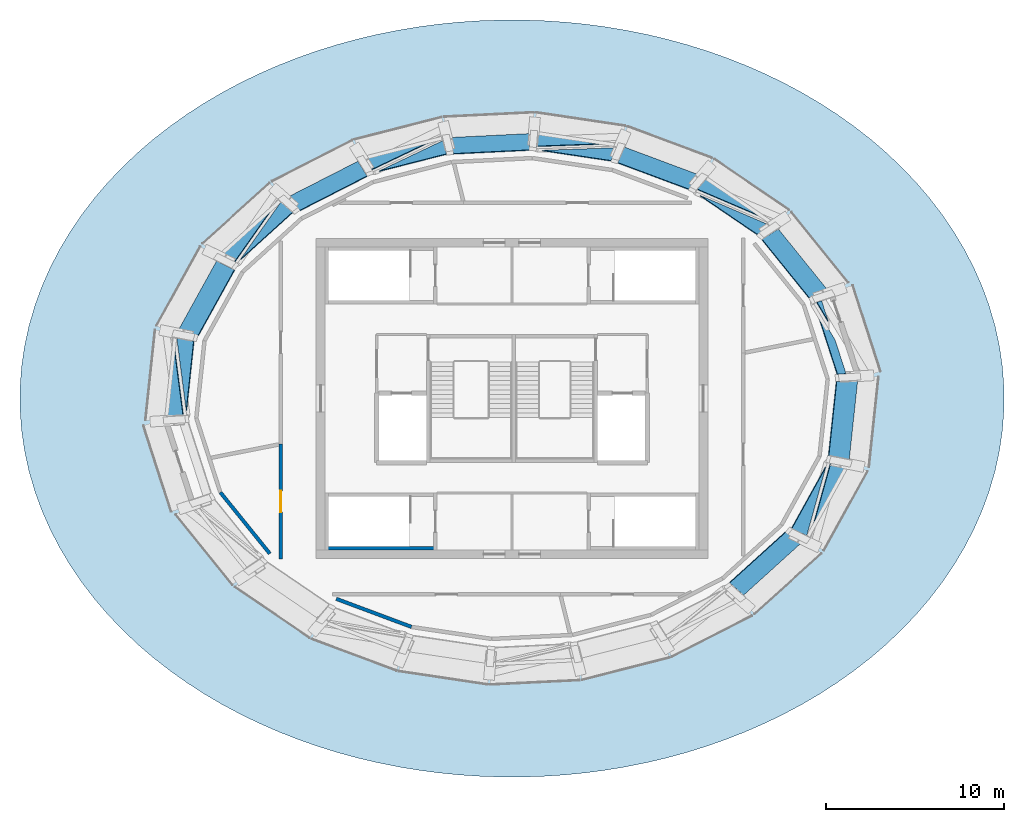
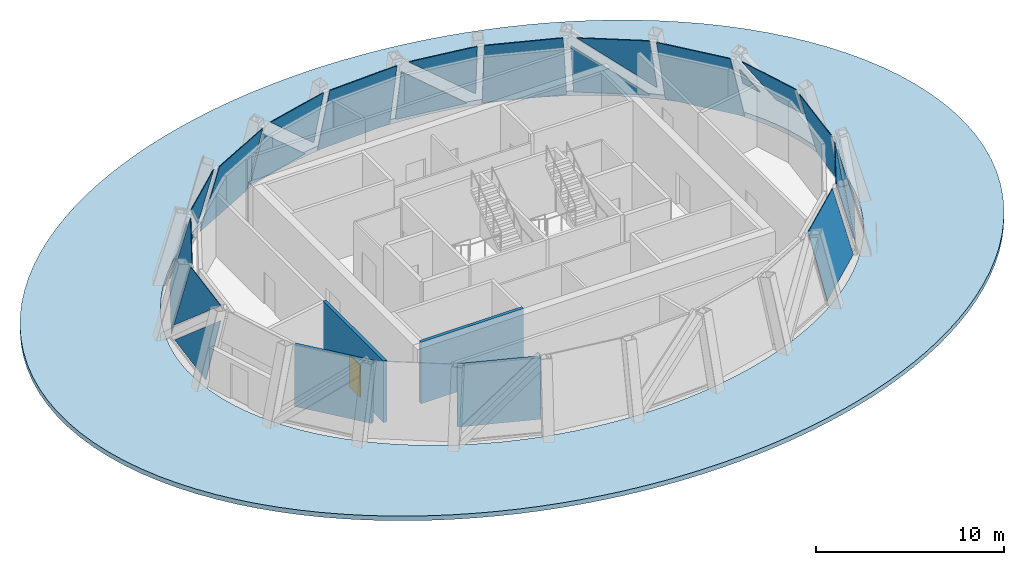
# One storey, part 4 of 9: 21 plates, 4 walls, 1 door, 1 slab, 1 opening, 1 element without a shape of its own.
"""IFC4 building model written with IfcOpenShell, lengths in metres."""

from ifc_helpers import new_model, si_unit, direction, frame, frame_2d, origin, place, context, subcontext, project, spatial, polyline, rectangle, outline, extrude, source, transform, mapped, material, layer, layer_set, type_object, element, fill, aggregate, save


model = new_model("IFC4")

# Units and contexts
model_context = context("Model", 3, precision=1e-05, world=origin(), true_north=direction((0.0, 1.0)))
body_context = subcontext(model_context, "Body", "Model", "MODEL_VIEW")
ifc_project = project(units=[si_unit("LENGTHUNIT", "METRE"), si_unit("AREAUNIT", "SQUARE_METRE"), si_unit("VOLUMEUNIT", "CUBIC_METRE"), si_unit("PLANEANGLEUNIT", "RADIAN"), si_unit("MASSUNIT", "GRAM", prefix="KILO")], contexts=[model_context])

# Site, building, storey
site_placement = place(None, origin())
site = spatial("IfcSite", under=ifc_project, at=site_placement, CompositionType="ELEMENT")
building_placement = place(site_placement, origin())
building = spatial("IfcBuilding", under=site, at=building_placement, Name="Embergate Tower", CompositionType="ELEMENT")
storey_placement = place(building_placement, frame((0.0, 0.0, 352.0)))
storey = spatial("IfcBuildingStorey", under=building, at=storey_placement, Name="L80", CompositionType="ELEMENT", Elevation=352.0)

# Curtain wall, plates
ifc_material_1 = material(Name="Aluminium and glass", Category="aluminium")
curtain_wall_type = type_object("IfcCurtainWallType", Name="Crown facet glazing", PredefinedType="NOTDEFINED", material=ifc_material_1)
curtain_wall_placement = place(storey_placement, origin())
curtain_wall = element("IfcCurtainWall", 1, at=curtain_wall_placement, inside=storey, type_object=curtain_wall_type, Name="Crown facet glazing L80", ObjectType="CROWN FACET GLAZING", PredefinedType="USERDEFINED")
ifc_material_2 = material(Name="Triple glazing, low-emissivity coating", Category="glass")
ifc_layer_1 = layer(ifc_material_2, 0.0400390625)
ifc_layer_set_1 = layer_set([ifc_layer_1], Name="Triple glazing, low-emissivity coating")
plate_type = type_object("IfcPlateType", Name="Crown facet glazing unit", PredefinedType="CURTAIN_PANEL", material=ifc_layer_set_1)
shared_shape_1 = source(origin(), body_context, "Body", "SweptSolid", [
    extrude(outline(polyline([(0.0, 0.0), (1.07177734375, 0.0), (0.003173828125, 1.205322265625), (0.0, 0.0)])), origin(), (0.0, 0.0, -1.0), 0.0400390625),
])
plate_1_placement = place(storey_placement, frame((17.392822265625, 5.491943359375, 2.611572265625), z_axis=(0.920096685743, 0.297102314234, 0.255249493168), x_axis=(-0.242116613997, -0.080857382849, 0.966872085059)))
plate_1 = element("IfcPlate", 2, at=plate_1_placement, type_object=plate_type, Name="CW panel 1.1", PredefinedType="CURTAIN_PANEL", context=body_context, shape_type="MappedRepresentation", body=[
    mapped(shared_shape_1, transform((0.0, 0.0, 0.0))),
])
shared_shape_2 = source(origin(), body_context, "Body", "SweptSolid", [
    extrude(outline(polyline([(0.0, 0.0), (2.72509765625, 0.0), (-0.179931640625, 2.58935546875), (-1.473876953125, 1.313720703125), (0.0, 0.0)])), origin(), (0.0, 0.0, -1.0), 0.0400390625),
])
plate_2_placement = place(storey_placement, frame((18.154296875, 3.27734375, 2.623046875), z_axis=(0.920042124863, 0.297397922436, 0.255101870258), x_axis=(-0.39111771797, 0.658128855059, 0.643345428855)))
plate_2 = element("IfcPlate", 3, at=plate_2_placement, type_object=plate_type, Name="CW panel 1.2", PredefinedType="CURTAIN_PANEL", context=body_context, shape_type="MappedRepresentation", body=[
    mapped(shared_shape_2, transform((0.0, 0.0, 0.0))),
])
shared_shape_3 = source(origin(), body_context, "Body", "SweptSolid", [
    extrude(outline(polyline([(0.0, 0.0), (4.51513671875, 0.0), (4.6162109375, 4.4716796875), (0.401123046875, 4.471923828125), (0.0, 0.0)])), origin(), (0.0, 0.0, -1.0), 0.0400390625),
])
plate_3_placement = place(storey_placement, frame((17.789306640625, 6.018798828125, 0.01220703125), z_axis=(0.75522954159, 0.609893134566, 0.240122268684), x_axis=(-0.628274463038, 0.777991773152, -1.692811e-06)))
plate_3 = element("IfcPlate", 4, at=plate_3_placement, type_object=plate_type, Name="CW panel 2.1", PredefinedType="CURTAIN_PANEL", context=body_context, shape_type="MappedRepresentation", body=[
    mapped(shared_shape_3, transform((0.0, 0.0, 0.0))),
])
shared_shape_4 = source(origin(), body_context, "Body", "SweptSolid", [
    extrude(outline(polyline([(0.0, 0.0), (4.0732421875, 0.0), (4.160400390625, 3.62060546875), (0.0, 0.0)])), origin(), (0.0, 0.0, -1.0), 0.0400390625),
])
plate_4_placement = place(storey_placement, frame((14.310791015625, 10.091064453125, 0.148193359375), z_axis=(0.548080278506, 0.805852661438, 0.224074756201), x_axis=(-0.826878563293, 0.562380513147, 0.0)))
plate_4 = element("IfcPlate", 5, at=plate_4_placement, type_object=plate_type, Name="CW panel 3.1", PredefinedType="CURTAIN_PANEL", context=body_context, shape_type="MappedRepresentation", body=[
    mapped(shared_shape_4, transform((0.0, 0.0, 0.0))),
])
shared_shape_5 = source(origin(), body_context, "Body", "SweptSolid", [
    extrude(outline(polyline([(0.0, 0.0), (5.6083984375, 0.0), (2.671142578125, 2.555908203125), (0.0, 0.0)])), origin(), (0.0, 0.0, -1.0), 0.0400390625),
])
plate_5_placement = place(storey_placement, frame((14.52880859375, 9.711181640625, 0.780517578125), z_axis=(0.547935997065, 0.80601470726, 0.223844666681), x_axis=(-0.706478204935, 0.302589808522, 0.63978742855)))
plate_5 = element("IfcPlate", 6, at=plate_5_placement, type_object=plate_type, Name="CW panel 3.2", PredefinedType="CURTAIN_PANEL", context=body_context, shape_type="MappedRepresentation", body=[
    mapped(shared_shape_5, transform((0.0, 0.0, 0.0))),
])
shared_shape_6 = source(origin(), body_context, "Body", "SweptSolid", [
    extrude(outline(polyline([(0.0, 0.0), (4.548583984375, 0.0), (4.59228515625, 4.456298828125), (0.3427734375, 4.45654296875), (0.0, 0.0)])), origin(), (0.0, 0.0, -1.0), 0.0400390625),
])
plate_6_placement = place(storey_placement, frame((10.580810546875, 12.533447265625, 0.016357421875), z_axis=(0.341508407401, 0.915541395411, 0.212499319912), x_axis=(-0.936939416061, 0.349491817615, -7.240372e-06)))
plate_6 = element("IfcPlate", 7, at=plate_6_placement, type_object=plate_type, Name="CW panel 4.1", PredefinedType="CURTAIN_PANEL", context=body_context, shape_type="MappedRepresentation", body=[
    mapped(shared_shape_6, transform((0.0, 0.0, 0.0))),
])
shared_shape_7 = source(origin(), body_context, "Body", "SweptSolid", [
    extrude(outline(polyline([(0.0, 0.0), (4.084228515625, 0.0), (4.0341796875, 3.631103515625), (0.0, 0.0)])), origin(), (0.0, 0.0, -1.0), 0.0400390625),
])
plate_7_placement = place(storey_placement, frame((5.4794921875, 14.32373046875, 0.147216796875), z_axis=(0.144250295366, 0.96786917564, 0.205963858802), x_axis=(-0.989075347677, 0.147410842945, 0.0)))
plate_7 = element("IfcPlate", 8, at=plate_7_placement, type_object=plate_type, Name="CW panel 5.1", PredefinedType="CURTAIN_PANEL", context=body_context, shape_type="MappedRepresentation", body=[
    mapped(shared_shape_7, transform((0.0, 0.0, 0.0))),
])
shared_shape_8 = source(origin(), body_context, "Body", "SweptSolid", [
    extrude(outline(polyline([(0.0, 0.0), (5.534912109375, 0.0), (2.625, 2.618896484375), (0.0, 0.0)])), origin(), (0.0, 0.0, -1.0), 0.0400390625),
])
plate_8_placement = place(storey_placement, frame((5.8798828125, 14.08837890625, 0.754150390625), z_axis=(0.144198783558, 0.967895432084, 0.205876524573), x_axis=(-0.755491270333, -0.026685673666, 0.65461501302)))
plate_8 = element("IfcPlate", 9, at=plate_8_placement, type_object=plate_type, Name="CW panel 5.2", PredefinedType="CURTAIN_PANEL", context=body_context, shape_type="MappedRepresentation", body=[
    mapped(shared_shape_8, transform((0.0, 0.0, 0.0))),
])
shared_shape_9 = source(origin(), body_context, "Body", "SweptSolid", [
    extrude(outline(polyline([(0.0, 0.0), (4.556640625, 0.0), (4.376708984375, 4.45263671875), (0.119384765625, 4.45263671875), (0.0, 0.0)])), origin(), (0.0, 0.0, -1.0), 0.0400390625),
])
plate_9_placement = place(storey_placement, frame((1.0439453125, 14.882568359375, 0.010498046875), z_axis=(-0.047988899297, 0.977645039403, 0.204712585045), x_axis=(-0.998797451387, -0.049027044601, -7.00306e-07)))
plate_9 = element("IfcPlate", 10, at=plate_9_placement, type_object=plate_type, Name="CW panel 6.1", PredefinedType="CURTAIN_PANEL", context=body_context, shape_type="MappedRepresentation", body=[
    mapped(shared_shape_9, transform((0.0, 0.0, 0.0))),
])
shared_shape_10 = source(origin(), body_context, "Body", "SweptSolid", [
    extrude(outline(polyline([(0.0, 0.0), (4.093017578125, 0.0), (3.852294921875, 3.638916015625), (0.0, 0.0)])), origin(), (0.0, 0.0, -1.0), 0.0400390625),
])
plate_10_placement = place(storey_placement, frame((-4.34228515625, 14.550537109375, 0.1474609375), z_axis=(-0.241874943866, 0.947664396567, 0.2083955446), x_axis=(-0.968937784773, -0.247304608204, 0.0)))
plate_10 = element("IfcPlate", 11, at=plate_10_placement, type_object=plate_type, Name="CW panel 7.1", PredefinedType="CURTAIN_PANEL", context=body_context, shape_type="MappedRepresentation", body=[
    mapped(shared_shape_10, transform((0.0, 0.0, 0.0))),
])
shared_shape_11 = source(origin(), body_context, "Body", "SweptSolid", [
    extrude(outline(polyline([(0.0, 0.0), (5.417236328125, 0.0), (2.55810546875, 2.701171875), (0.0, 0.0)])), origin(), (0.0, 0.0, -1.0), 0.0400390625),
])
plate_11_placement = place(storey_placement, frame((-3.8623046875, 14.495849609375, 0.73779296875), z_axis=(-0.2418442781, 0.947648349754, 0.20850407756), x_axis=(-0.668931779506, -0.318489583357, 0.671635808798)))
plate_11 = element("IfcPlate", 12, at=plate_11_placement, type_object=plate_type, Name="CW panel 7.2", PredefinedType="CURTAIN_PANEL", context=body_context, shape_type="MappedRepresentation", body=[
    mapped(shared_shape_11, transform((0.0, 0.0, 0.0))),
])
shared_shape_12 = source(origin(), body_context, "Body", "SweptSolid", [
    extrude(outline(polyline([(0.0, 0.0), (4.543701171875, 0.0), (4.16015625, 4.458984375), (-0.082763671875, 4.458984375), (0.0, 0.0)])), origin(), (0.0, 0.0, -1.0), 0.0400390625),
])
plate_12_placement = place(storey_placement, frame((-8.6533203125, 13.326904296875, 0.006591796875), z_axis=(-0.443656884808, 0.869414537146, 0.217455584343), x_axis=(-0.89073017063, -0.454532466482, -6.616254e-06)))
plate_12 = element("IfcPlate", 13, at=plate_12_placement, type_object=plate_type, Name="CW panel 8.1", PredefinedType="CURTAIN_PANEL", context=body_context, shape_type="MappedRepresentation", body=[
    mapped(shared_shape_12, transform((0.0, 0.0, 0.0))),
])
shared_shape_13 = source(origin(), body_context, "Body", "SweptSolid", [
    extrude(outline(polyline([(0.0, 0.0), (4.08740234375, 0.0), (3.748779296875, 3.63330078125), (0.0, 0.0)])), origin(), (0.0, 0.0, -1.0), 0.0400390625),
])
plate_13_placement = place(storey_placement, frame((-13.378173828125, 10.815185546875, 0.1484375), z_axis=(-0.653043164716, 0.721026126076, 0.231637541288), x_axis=(-0.741184747598, -0.671301102285, 0.0)))
plate_13 = element("IfcPlate", 14, at=plate_13_placement, type_object=plate_type, Name="CW panel 9.1", PredefinedType="CURTAIN_PANEL", context=body_context, shape_type="MappedRepresentation", body=[
    mapped(shared_shape_13, transform((0.0, 0.0, 0.0))),
])
shared_shape_14 = source(origin(), body_context, "Body", "SweptSolid", [
    extrude(outline(polyline([(0.0, 0.0), (5.352294921875, 0.0), (2.522216796875, 2.74267578125), (0.0, 0.0)])), origin(), (0.0, 0.0, -1.0), 0.0400390625),
])
plate_14_placement = place(storey_placement, frame((-12.97998046875, 11.041015625, 0.761962890625), z_axis=(-0.653082715758, 0.721000425517, 0.231606029244), x_axis=(-0.424026913451, -0.601556253722, 0.677001661946)))
plate_14 = element("IfcPlate", 15, at=plate_14_placement, type_object=plate_type, Name="CW panel 9.2", PredefinedType="CURTAIN_PANEL", context=body_context, shape_type="MappedRepresentation", body=[
    mapped(shared_shape_14, transform((0.0, 0.0, 0.0))),
])
shared_shape_15 = source(origin(), body_context, "Body", "SweptSolid", [
    extrude(outline(polyline([(0.0, 0.0), (4.503662109375, 0.0), (4.144775390625, 4.477294921875), (-0.05859375, 4.477294921875), (0.0, 0.0)])), origin(), (0.0, 0.0, -1.0), 0.0400390625),
])
plate_15_placement = place(storey_placement, frame((-16.597900390625, 7.71728515625, 0.00439453125), z_axis=(-0.847770934388, 0.468639990568, 0.248316334636), x_axis=(-0.483794776145, -0.875181475182, -8.501858e-06)))
plate_15 = element("IfcPlate", 16, at=plate_15_placement, type_object=plate_type, Name="CW panel 10.1", PredefinedType="CURTAIN_PANEL", context=body_context, shape_type="MappedRepresentation", body=[
    mapped(shared_shape_15, transform((0.0, 0.0, 0.0))),
])
shared_shape_16 = source(origin(), body_context, "Body", "SweptSolid", [
    extrude(outline(polyline([(0.0, 0.0), (4.069580078125, 0.0), (3.908447265625, 3.61962890625), (0.0, 0.0)])), origin(), (0.0, 0.0, -1.0), 0.0400390625),
])
plate_16_placement = place(storey_placement, frame((-19.0, 3.022216796875, 0.14990234375), z_axis=(-0.960464529537, 0.102153653811, 0.258983625959), x_axis=(-0.105762074742, -0.994391463935, 0.0)))
plate_16 = element("IfcPlate", 17, at=plate_16_placement, type_object=plate_type, Name="CW panel 11.1", PredefinedType="CURTAIN_PANEL", context=body_context, shape_type="MappedRepresentation", body=[
    mapped(shared_shape_16, transform((0.0, 0.0, 0.0))),
])
shared_shape_17 = source(origin(), body_context, "Body", "SweptSolid", [
    extrude(outline(polyline([(0.0, 0.0), (5.44384765625, 0.0), (2.57470703125, 2.6572265625), (0.0, 0.0)])), origin(), (0.0, 0.0, -1.0), 0.0400390625),
])
plate_17_placement = place(storey_placement, frame((-18.83056640625, 3.4033203125, 0.8017578125), z_axis=(-0.96045969937, 0.102148338193, 0.259003634898), x_axis=(0.097408502928, -0.748188791139, 0.656296515587)))
plate_17 = element("IfcPlate", 18, at=plate_17_placement, type_object=plate_type, Name="CW panel 11.2", PredefinedType="CURTAIN_PANEL", context=body_context, shape_type="MappedRepresentation", body=[
    mapped(shared_shape_17, transform((0.0, 0.0, 0.0))),
])
shared_shape_18 = source(origin(), body_context, "Body", "SweptSolid", [
    extrude(outline(polyline([(0.0, 0.0), (4.526123046875, 0.0), (4.10986328125, 4.466796875), (-0.11669921875, 4.466796875), (0.0, 0.0)])), origin(), (0.0, 0.0, -1.0), 0.0400390625),
])
plate_18_placement = place(storey_placement, frame((13.01171875, -11.04736328125, 0.005615234375), z_axis=(0.653047661529, -0.721019755771, 0.231644692493), x_axis=(0.741180369526, 0.671305936068, -5.46103e-06)))
plate_18 = element("IfcPlate", 19, at=plate_18_placement, type_object=plate_type, Name="CW panel 20.1", PredefinedType="CURTAIN_PANEL", context=body_context, shape_type="MappedRepresentation", body=[
    mapped(shared_shape_18, transform((0.0, 0.0, 0.0))),
])
shared_shape_19 = source(origin(), body_context, "Body", "SweptSolid", [
    extrude(outline(polyline([(0.0, 0.0), (4.076904296875, 0.0), (3.786376953125, 3.62451171875), (0.0, 0.0)])), origin(), (0.0, 0.0, -1.0), 0.0400390625),
])
plate_19_placement = place(storey_placement, frame((16.8623046875, -7.386962890625, 0.1494140625), z_axis=(0.84783199942, -0.468613540288, 0.248157713194), x_axis=(0.483745264188, 0.875208843291, 0.0)))
plate_19 = element("IfcPlate", 20, at=plate_19_placement, type_object=plate_type, Name="CW panel 21.1", PredefinedType="CURTAIN_PANEL", context=body_context, shape_type="MappedRepresentation", body=[
    mapped(shared_shape_19, transform((0.0, 0.0, 0.0))),
])
shared_shape_20 = source(origin(), body_context, "Body", "SweptSolid", [
    extrude(outline(polyline([(0.0, 0.0), (5.375, 0.0), (2.535400390625, 2.718505859375), (0.0, 0.0)])), origin(), (0.0, 0.0, -1.0), 0.0400390625),
])
plate_20_placement = place(storey_placement, frame((16.55517578125, -7.705078125, 0.7783203125), z_axis=(0.847703183177, -0.468760428877, 0.248320304347), x_axis=(0.199267967555, 0.715220747007, 0.669889214839)))
plate_20 = element("IfcPlate", 21, at=plate_20_placement, type_object=plate_type, Name="CW panel 21.2", PredefinedType="CURTAIN_PANEL", context=body_context, shape_type="MappedRepresentation", body=[
    mapped(shared_shape_20, transform((0.0, 0.0, 0.0))),
])
shared_shape_21 = source(origin(), body_context, "Body", "SweptSolid", [
    extrude(outline(polyline([(0.0, 0.0), (4.48974609375, 0.0), (4.28955078125, 4.48486328125), (0.10107421875, 4.485107421875), (0.0, 0.0)])), origin(), (0.0, 0.0, -1.0), 0.0400390625),
])
plate_21_placement = place(storey_placement, frame((18.944580078125, -3.43310546875, 0.019287109375), z_axis=(0.960455199983, -0.102160085333, 0.259015686378), x_axis=(0.105772846019, 0.994390318187, -1.1892006e-05)))
plate_21 = element("IfcPlate", 22, at=plate_21_placement, type_object=plate_type, Name="CW panel 22.1", PredefinedType="CURTAIN_PANEL", context=body_context, shape_type="MappedRepresentation", body=[
    mapped(shared_shape_21, transform((0.0, 0.0, 0.0))),
])
aggregate(curtain_wall, [plate_1, plate_2, plate_3, plate_4, plate_5, plate_6, plate_7, plate_8, plate_9, plate_10, plate_11, plate_12, plate_13, plate_14, plate_15, plate_16, plate_17, plate_18, plate_19, plate_20, plate_21])

# Slab
ifc_material_3 = material(Name="Concrete C40", Category="concrete")
ifc_layer_2 = layer(ifc_material_3, 0.300048828125)
ifc_layer_set_2 = layer_set([ifc_layer_2], Name="Concrete C40")
slab_type = type_object("IfcSlabType", Name="Roof slab C40 300", PredefinedType="ROOF", material=ifc_layer_set_2)
shared_shape_22 = source(origin(), body_context, "Body", "SweptSolid", [
    extrude(outline(polyline([(0.0, 0.0), (1.169921875, 0.0), (2.337890625, 0.0380859375), (3.507080078125, 0.114013671875), (4.6708984375, 0.22802734375), (5.826904296875, 0.381103515625), (6.98486328125, 0.572998046875), (8.130859375, 0.802978515625), (9.263916015625, 1.070068359375), (10.39892578125, 1.3798828125), (11.514892578125, 1.72802734375), (12.61083984375, 2.112060546875), (13.7080078125, 2.5439453125), (14.780029296875, 3.011962890625), (15.822998046875, 3.51708984375), (16.864990234375, 4.072998046875), (17.873046875, 4.666015625), (18.843994140625, 5.29296875), (19.80908203125, 5.97802734375), (20.73095703125, 6.697021484375), (21.60693359375, 7.448974609375), (22.467041015625, 8.263916015625), (23.27294921875, 9.110107421875), (24.02490234375, 9.985107421875), (24.744873046875, 10.924072265625), (25.40185546875, 11.889892578125), (25.993896484375, 12.881103515625), (26.536865234375, 13.930908203125), (27.005859375, 15.0009765625), (27.40087890625, 16.087890625), (27.72705078125, 17.218017578125), (27.972900390625, 18.360107421875), (28.136962890625, 19.510986328125), (28.220947265625, 20.677001953125), (28.220947265625, 21.844970703125), (28.136962890625, 23.010986328125), (27.972900390625, 24.161865234375), (27.72705078125, 25.303955078125), (27.40087890625, 26.43408203125), (27.005859375, 27.52099609375), (26.536865234375, 28.591064453125), (25.993896484375, 29.640869140625), (25.40185546875, 30.632080078125), (24.744873046875, 31.597900390625), (24.02490234375, 32.536865234375), (23.27294921875, 33.411865234375), (22.467041015625, 34.258056640625), (21.60693359375, 35.072998046875), (20.73095703125, 35.824951171875), (19.80908203125, 36.5439453125), (18.843994140625, 37.22900390625), (17.873046875, 37.85595703125), (16.864990234375, 38.448974609375), (15.822998046875, 39.0048828125), (14.780029296875, 39.510009765625), (13.7080078125, 39.97802734375), (12.61083984375, 40.409912109375), (11.514892578125, 40.7939453125), (10.39892578125, 41.14208984375), (9.263916015625, 41.451904296875), (8.130859375, 41.718994140625), (6.98486328125, 41.948974609375), (5.826904296875, 42.140869140625), (4.6708984375, 42.2939453125), (3.507080078125, 42.407958984375), (2.337890625, 42.48388671875), (1.169921875, 42.52197265625), (0.0, 42.52197265625), (-1.16796875, 42.48388671875), (-2.337158203125, 42.407958984375), (-3.5009765625, 42.2939453125), (-4.656982421875, 42.140869140625), (-5.81494140625, 41.948974609375), (-6.9609375, 41.718994140625), (-8.093994140625, 41.451904296875), (-9.22900390625, 41.14208984375), (-10.344970703125, 40.7939453125), (-11.44091796875, 40.409912109375), (-12.5380859375, 39.97802734375), (-13.610107421875, 39.510009765625), (-14.653076171875, 39.0048828125), (-15.695068359375, 38.448974609375), (-16.703125, 37.85595703125), (-17.674072265625, 37.22900390625), (-18.63916015625, 36.5439453125), (-19.56103515625, 35.824951171875), (-20.43701171875, 35.072998046875), (-21.297119140625, 34.258056640625), (-22.10302734375, 33.411865234375), (-22.85498046875, 32.536865234375), (-23.574951171875, 31.597900390625), (-24.23193359375, 30.632080078125), (-24.823974609375, 29.640869140625), (-25.366943359375, 28.591064453125), (-25.8359375, 27.52099609375), (-26.23095703125, 26.43408203125), (-26.55712890625, 25.303955078125), (-26.802978515625, 24.161865234375), (-26.967041015625, 23.010986328125), (-27.051025390625, 21.844970703125), (-27.051025390625, 20.677001953125), (-26.967041015625, 19.510986328125), (-26.802978515625, 18.360107421875), (-26.55712890625, 17.218017578125), (-26.23095703125, 16.087890625), (-25.8359375, 15.0009765625), (-25.366943359375, 13.930908203125), (-24.823974609375, 12.881103515625), (-24.23193359375, 11.889892578125), (-23.574951171875, 10.924072265625), (-22.85498046875, 9.985107421875), (-22.10302734375, 9.110107421875), (-21.297119140625, 8.263916015625), (-20.43701171875, 7.448974609375), (-19.56103515625, 6.697021484375), (-18.63916015625, 5.97802734375), (-17.674072265625, 5.29296875), (-16.703125, 4.666015625), (-15.695068359375, 4.072998046875), (-14.653076171875, 3.51708984375), (-13.610107421875, 3.011962890625), (-12.5380859375, 2.5439453125), (-11.44091796875, 2.112060546875), (-10.344970703125, 1.72802734375), (-9.22900390625, 1.3798828125), (-8.093994140625, 1.070068359375), (-6.9609375, 0.802978515625), (-5.81494140625, 0.572998046875), (-4.656982421875, 0.381103515625), (-3.5009765625, 0.22802734375), (-2.337158203125, 0.114013671875), (-1.16796875, 0.0380859375), (0.0, 0.0)]), holes=[polyline([(0.1669921875, 6.073974609375), (-0.6669921875, 6.10205078125), (-1.501953125, 6.156005859375), (-2.3330078125, 6.238037109375), (-3.158935546875, 6.346923828125), (-3.986083984375, 6.48388671875), (-4.804931640625, 6.64794921875), (-5.614013671875, 6.8388671875), (-6.425048828125, 7.06005859375), (-7.221923828125, 7.30908203125), (-8.005126953125, 7.5830078125), (-8.7890625, 7.89208984375), (-9.553955078125, 8.22607421875), (-10.299072265625, 8.5869140625), (-11.04296875, 8.98388671875), (-11.762939453125, 9.406982421875), (-12.45703125, 9.85498046875), (-13.14599609375, 10.344970703125), (-13.804931640625, 10.85791015625), (-14.429931640625, 11.39599609375), (-15.044921875, 11.97705078125), (-15.62109375, 12.5810546875), (-16.156982421875, 13.20703125), (-16.672119140625, 13.8779296875), (-17.14208984375, 14.56787109375), (-17.56396484375, 15.27587890625), (-17.9521484375, 16.02490234375), (-18.287109375, 16.7890625), (-18.569091796875, 17.56591796875), (-18.802001953125, 18.373046875), (-18.97705078125, 19.18896484375), (-19.094970703125, 20.010986328125), (-19.155029296875, 20.843994140625), (-19.155029296875, 21.677978515625), (-19.094970703125, 22.510986328125), (-18.97705078125, 23.3330078125), (-18.802001953125, 24.14892578125), (-18.569091796875, 24.9560546875), (-18.287109375, 25.73291015625), (-17.9521484375, 26.4970703125), (-17.56396484375, 27.24609375), (-17.14208984375, 27.9541015625), (-16.672119140625, 28.64404296875), (-16.156982421875, 29.31494140625), (-15.62109375, 29.94091796875), (-15.044921875, 30.544921875), (-14.429931640625, 31.1259765625), (-13.804931640625, 31.6640625), (-13.14599609375, 32.177001953125), (-12.45703125, 32.6669921875), (-11.762939453125, 33.114990234375), (-11.04296875, 33.5380859375), (-10.299072265625, 33.93505859375), (-9.553955078125, 34.2958984375), (-8.7890625, 34.6298828125), (-8.005126953125, 34.93896484375), (-7.221923828125, 35.212890625), (-6.425048828125, 35.4619140625), (-5.614013671875, 35.68310546875), (-4.804931640625, 35.8740234375), (-3.986083984375, 36.0380859375), (-3.158935546875, 36.175048828125), (-2.3330078125, 36.283935546875), (-1.501953125, 36.365966796875), (-0.6669921875, 36.419921875), (0.1669921875, 36.447998046875), (1.0029296875, 36.447998046875), (1.8369140625, 36.419921875), (2.671875, 36.365966796875), (3.5029296875, 36.283935546875), (4.328857421875, 36.175048828125), (5.156005859375, 36.0380859375), (5.974853515625, 35.8740234375), (6.783935546875, 35.68310546875), (7.594970703125, 35.4619140625), (8.391845703125, 35.212890625), (9.175048828125, 34.93896484375), (9.958984375, 34.6298828125), (10.723876953125, 34.2958984375), (11.468994140625, 33.93505859375), (12.212890625, 33.5380859375), (12.932861328125, 33.114990234375), (13.626953125, 32.6669921875), (14.31591796875, 32.177001953125), (14.974853515625, 31.6640625), (15.599853515625, 31.1259765625), (16.21484375, 30.544921875), (16.791015625, 29.94091796875), (17.326904296875, 29.31494140625), (17.842041015625, 28.64404296875), (18.31201171875, 27.9541015625), (18.73388671875, 27.24609375), (19.1220703125, 26.4970703125), (19.45703125, 25.73291015625), (19.739013671875, 24.9560546875), (19.971923828125, 24.14892578125), (20.14697265625, 23.3330078125), (20.264892578125, 22.510986328125), (20.324951171875, 21.677978515625), (20.324951171875, 20.843994140625), (20.264892578125, 20.010986328125), (20.14697265625, 19.18896484375), (19.971923828125, 18.373046875), (19.739013671875, 17.56591796875), (19.45703125, 16.7890625), (19.1220703125, 16.02490234375), (18.73388671875, 15.27587890625), (18.31201171875, 14.56787109375), (17.842041015625, 13.8779296875), (17.326904296875, 13.20703125), (16.791015625, 12.5810546875), (16.21484375, 11.97705078125), (15.599853515625, 11.39599609375), (14.974853515625, 10.85791015625), (14.31591796875, 10.344970703125), (13.626953125, 9.85498046875), (12.932861328125, 9.406982421875), (12.212890625, 8.98388671875), (11.468994140625, 8.5869140625), (10.723876953125, 8.22607421875), (9.958984375, 7.89208984375), (9.175048828125, 7.5830078125), (8.391845703125, 7.30908203125), (7.594970703125, 7.06005859375), (6.783935546875, 6.8388671875), (5.974853515625, 6.64794921875), (5.156005859375, 6.48388671875), (4.328857421875, 6.346923828125), (3.5029296875, 6.238037109375), (2.671875, 6.156005859375), (1.8369140625, 6.10205078125), (1.0029296875, 6.073974609375), (0.1669921875, 6.073974609375)])]), origin(), (0.0, 0.0, 1.0), 0.300048828125),
])
slab_placement = place(storey_placement, frame((-0.5849609375, -21.260986328125, -0.300048828125)))
element("IfcSlab", 23, at=slab_placement, inside=storey, type_object=slab_type, Name="Slot roof slab", PredefinedType="ROOF", context=body_context, shape_type="MappedRepresentation", body=[
    mapped(shared_shape_22, transform((0.0, 0.0, 0.0))),
])

# Walls
ifc_material_4 = material(Name="Terracotta louvre cladding on insulated backing", Category="masonry")
ifc_layer_3 = layer(ifc_material_4, 0.199951171875)
ifc_layer_set_3 = layer_set([ifc_layer_3], Name="Terracotta louvre cladding on insulated backing")
wall_type_1 = type_object("IfcWallType", Name="Terracotta louvre wall", PredefinedType="SOLIDWALL", material=ifc_layer_set_3)
shared_shape_23 = source(origin(), body_context, "Body", "SweptSolid", [
    extrude(rectangle(XDim=4.419189453125, YDim=0.199951171875, at=frame_2d((2.20947265625, 0.0))), origin(), (0.0, 0.0, 1.0), 4.0),
])
wall_1_placement = place(storey_placement, frame((-13.602294921875, -8.715576171875, 0.0), z_axis=(0.0, 0.0, 1.0), x_axis=(-0.628124910936, 0.778112521594, 0.0)))
element("IfcWall", 24, at=wall_1_placement, inside=storey, type_object=wall_type_1, Name="Crown louvre wall 12", PredefinedType="SOLIDWALL", context=body_context, shape_type="MappedRepresentation", body=[
    mapped(shared_shape_23, transform((0.0, 0.0, 0.0))),
])
shared_shape_24 = source(origin(), body_context, "Body", "SweptSolid", [
    extrude(rectangle(XDim=4.509765625, YDim=0.199951171875, at=frame_2d((2.2548828125, 0.0))), origin(), (0.0, 0.0, 1.0), 4.0),
])
wall_2_placement = place(storey_placement, frame((-5.64599609375, -12.829833984375, 0.0), z_axis=(0.0, 0.0, 1.0), x_axis=(-0.936857596237, 0.349711087004, 0.0)))
element("IfcWall", 25, at=wall_2_placement, inside=storey, type_object=wall_type_1, Name="Crown louvre wall 14", PredefinedType="SOLIDWALL", context=body_context, shape_type="MappedRepresentation", body=[
    mapped(shared_shape_24, transform((0.0, 0.0, 0.0))),
])
ifc_material_5 = material(Name="Concrete C50", Category="concrete")
ifc_layer_4 = layer(ifc_material_5, 0.199951171875)
ifc_layer_set_4 = layer_set([ifc_layer_4], Name="Concrete C50")
wall_type_2 = type_object("IfcWallType", Name="Stair enclosure wall reinforced concrete 250", PredefinedType="SHEAR", material=ifc_layer_set_4)
shared_shape_25 = source(origin(), body_context, "Body", "SweptSolid", [
    extrude(rectangle(XDim=6.298095703125, YDim=0.199951171875, at=frame_2d((3.14892578125, 0.0))), origin(), (0.0, 0.0, 1.0), 4.0),
])
wall_3_placement = place(storey_placement, frame((-10.5, -8.39990234375, 0.0), z_axis=(0.0, 0.0, 1.0), x_axis=(1.0, 0.0, 0.0)))
element("IfcWall", 26, at=wall_3_placement, inside=storey, type_object=wall_type_2, Name="SE-1 wall", PredefinedType="SHEAR", context=body_context, shape_type="MappedRepresentation", body=[
    mapped(shared_shape_25, transform((0.0, 0.0, 0.0))),
])

# Wall, opening, door
ifc_material_6 = material(Name="Blockwork, plastered", Category="masonry")
ifc_layer_5 = layer(ifc_material_6, 0.199951171875)
ifc_layer_set_5 = layer_set([ifc_layer_5], Name="Blockwork, plastered")
wall_type_3 = type_object("IfcWallType", Name="Fire partition wall 200 block", PredefinedType="PARTITIONING", material=ifc_layer_set_5)
shared_shape_26 = source(origin(), body_context, "Body", "SweptSolid", [
    extrude(rectangle(XDim=6.446044921875, YDim=0.199951171875, at=frame_2d((3.22314453125, 0.0))), origin(), (0.0, 0.0, 1.0), 4.0),
])
wall_4_placement = place(storey_placement, frame((-13.0, -9.008056640625, 0.0), z_axis=(0.0, 0.0, 1.0), x_axis=(0.0, 1.0, 0.0)))
wall_4 = element("IfcWall", 27, at=wall_4_placement, inside=storey, type_object=wall_type_3, Name="Partition 001", PredefinedType="PARTITIONING", context=body_context, shape_type="MappedRepresentation", body=[
    mapped(shared_shape_26, transform((0.0, 0.0, 0.0))),
])
shared_shape_27 = source(origin(), body_context, "Body", "SweptSolid", [
    extrude(rectangle(XDim=1.199951171875, YDim=2.10009765625, at=frame_2d((0.60009765625, 1.050048828125))), frame((0.0, 0.10986328125, 0.0), z_axis=(0.0, -1.0, 0.0), x_axis=(1.0, 0.0, 0.0)), (0.0, 0.0, 1.0), 0.219970703125),
])
opening_placement = place(wall_4_placement, frame((2.623046875, 0.0, 0.0)))
opening = element("IfcOpeningElement", 28, at=opening_placement, cuts=wall_4, Name="Opening DS-277", PredefinedType="OPENING", context=body_context, shape_type="MappedRepresentation", body=[
    mapped(shared_shape_27, transform((0.0, 0.0, 0.0))),
])
ifc_material_7 = material(Name="Timber door leaf, steel frame", Category="steel")
door_type = type_object("IfcDoorType", Name="Plant door 1200x2100", OperationType="SINGLE_SWING_LEFT", PredefinedType="DOOR", material=ifc_material_7)
shared_shape_28 = source(origin(), body_context, "Body", "SweptSolid", [
    extrude(rectangle(XDim=1.199951171875, YDim=2.10009765625, at=frame_2d((0.60009765625, 1.050048828125))), frame((0.0, 0.02490234375, 0.0), z_axis=(0.0, -1.0, 0.0), x_axis=(1.0, 0.0, 0.0)), (0.0, 0.0, 1.0), 0.050048828125),
])
door_placement = place(opening_placement, origin())
door = element("IfcDoor", 29, at=door_placement, inside=storey, type_object=door_type, Name="Door to Lift machine room", OperationType="SINGLE_SWING_LEFT", OverallHeight=2.10009765625, OverallWidth=1.199951171875, PredefinedType="DOOR", context=body_context, shape_type="MappedRepresentation", body=[
    mapped(shared_shape_28, transform((0.0, 0.0, 0.0))),
])
fill(opening, door)

save(model, "model.ifc")
